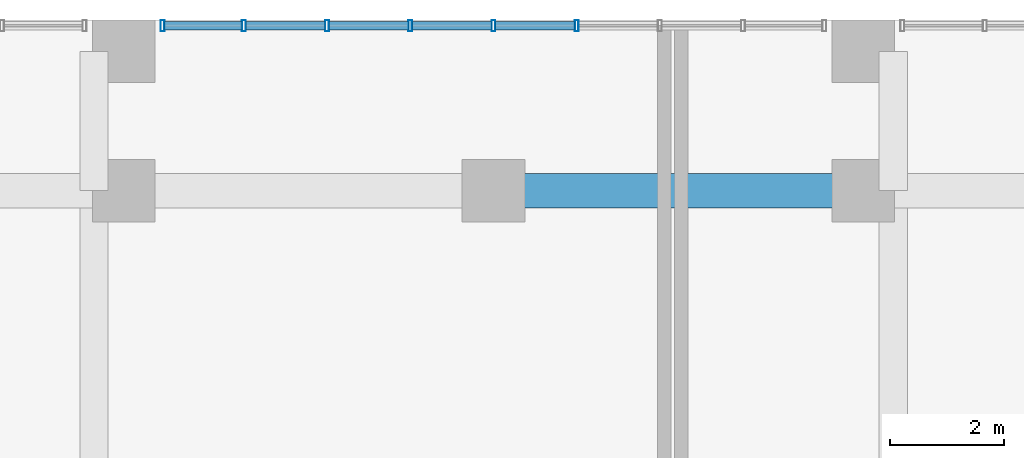
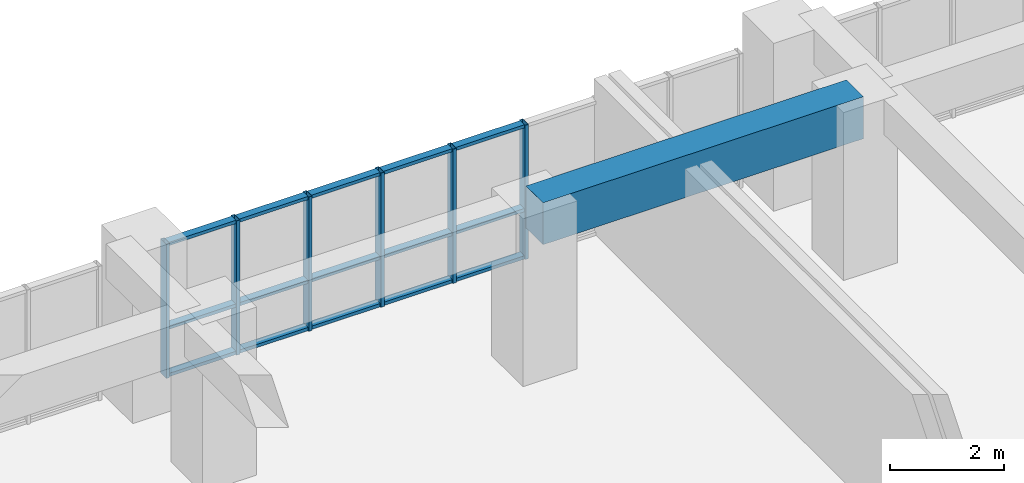
# One storey, part 12 of 30: 21 members, 1 beam, 1 element without a shape of its own.
"""IFC4 building model written with IfcOpenShell, lengths in metres."""

from ifc_helpers import new_model, si_unit, direction, frame, origin, origin_2d, place, context, subcontext, project, spatial, rectangle, hollow_rectangle, extrude, source, transform, mapped, material, layer, layer_set, material_profile, profile_set, type_object, element, aggregate, save


model = new_model("IFC4")

# Units and contexts
model_context = context("Model", 3, precision=1e-05, world=origin(), true_north=direction((0.0, 1.0)))
body_context = subcontext(model_context, "Body", "Model", "MODEL_VIEW")
ifc_project = project(units=[si_unit("LENGTHUNIT", "METRE"), si_unit("AREAUNIT", "SQUARE_METRE"), si_unit("VOLUMEUNIT", "CUBIC_METRE"), si_unit("PLANEANGLEUNIT", "RADIAN"), si_unit("MASSUNIT", "GRAM", prefix="KILO")], contexts=[model_context])

# Site, building, storey
site_placement = place(None, origin())
site = spatial("IfcSite", under=ifc_project, at=site_placement, CompositionType="ELEMENT")
building_placement = place(site_placement, origin())
building = spatial("IfcBuilding", under=site, at=building_placement, Name="Saelheon Loggia Tower", CompositionType="ELEMENT")
storey_placement = place(building_placement, frame((0.0, 0.0, 7.800048828125)))
storey = spatial("IfcBuildingStorey", under=building, at=storey_placement, Name="L02", CompositionType="ELEMENT", Elevation=7.800048828125)

# Beam
ifc_material_1 = material(Name="Concrete C50/60", Category="concrete")
ifc_material_profile_1 = material_profile(ifc_material_1, rectangle(XDim=0.60009765625, YDim=0.89990234375, at=origin_2d()), Name="RC-600x900")
ifc_profile_set_1 = profile_set([ifc_material_profile_1], Name="Concrete C50/60")
beam_type = type_object("IfcBeamType", Name="Beam_MainGirder_RC600x900", PredefinedType="BEAM", material=ifc_profile_set_1)
shared_shape_1 = source(origin(), body_context, "Body", "SweptSolid", [
    extrude(rectangle(XDim=0.60009765625, YDim=0.89990234375, at=origin_2d()), origin(), (0.0, 0.0, 1.0), 6.5),
])
beam_placement = place(storey_placement, frame((38.0, 51.0, 3.14990234375), z_axis=(1.0, 0.0, 0.0), x_axis=(0.0, 1.0, 0.0)))
element("IfcBeam", 1, at=beam_placement, inside=storey, type_object=beam_type, Name="BM-L02-EW-51-6", PredefinedType="BEAM", context=body_context, shape_type="MappedRepresentation", body=[
    mapped(shared_shape_1, transform((0.0, 0.0, 0.0), scale=1.0)),
])

# Curtain wall, members
ifc_material_2 = material(Name="Aluminium 6063-T6 and Low-E IGU", Category="aluminium")
ifc_layer = layer(ifc_material_2, 0.179931640625)
ifc_layer_set = layer_set([ifc_layer], Name="Aluminium 6063-T6 and Low-E IGU")
curtain_wall_type = type_object("IfcCurtainWallType", Name="CW_PodiumClinic", PredefinedType="NOTDEFINED", material=ifc_layer_set)
curtain_wall_placement = place(storey_placement, origin())
curtain_wall = element("IfcCurtainWall", 2, at=curtain_wall_placement, inside=storey, type_object=curtain_wall_type, Name="L02 North Clinic Curtain Wall 2", PredefinedType="NOTDEFINED")
ifc_material_3 = material(Name="Anodised Aluminium 6063-T6", Category="aluminium")
ifc_material_profile_2 = material_profile(ifc_material_3, hollow_rectangle(XDim=0.070068359375, YDim=0.14990234375, WallThickness=0.0048828125, at=origin_2d()), Name="RHS-150x70x5")
ifc_profile_set_2 = profile_set([ifc_material_profile_2], Name="Anodised Aluminium 6063-T6")
member_type_1 = type_object("IfcMemberType", Name="CW_PodiumClinic_Transom", PredefinedType="USERDEFINED", material=ifc_profile_set_2)
shared_shape_2 = source(origin(), body_context, "Body", "SweptSolid", [
    extrude(hollow_rectangle(XDim=0.070068359375, YDim=0.14990234375, WallThickness=0.0048828125, at=origin_2d()), origin(), (0.0, 0.0, 1.0), 1.357421875),
])
member_1_placement = place(storey_placement, frame((32.219970703125, 53.89990234375, 0.034912109375), z_axis=(1.0, 0.0, 0.0), x_axis=(0.0, 0.0, 1.0)))
member_1 = element("IfcMember", 3, at=member_1_placement, type_object=member_type_1, Name="CW1 transom 1.1", ObjectType="TRANSOM", PredefinedType="USERDEFINED", context=body_context, shape_type="MappedRepresentation", body=[
    mapped(shared_shape_2, transform((0.0, 0.0, 0.0), scale=1.0)),
])
member_2_placement = place(storey_placement, frame((32.219970703125, 53.89990234375, 1.050048828125), z_axis=(1.0, 0.0, 0.0), x_axis=(0.0, 0.0, 1.0)))
member_2 = element("IfcMember", 4, at=member_2_placement, type_object=member_type_1, Name="CW1 transom 1.2", ObjectType="TRANSOM", PredefinedType="USERDEFINED", context=body_context, shape_type="MappedRepresentation", body=[
    mapped(shared_shape_2, transform((0.0, 0.0, 0.0), scale=1.0)),
])
member_3_placement = place(storey_placement, frame((32.219970703125, 53.89990234375, 2.844970703125), z_axis=(1.0, 0.0, 0.0), x_axis=(0.0, 0.0, 1.0)))
member_3 = element("IfcMember", 5, at=member_3_placement, type_object=member_type_1, Name="CW1 transom 1.3", ObjectType="TRANSOM", PredefinedType="USERDEFINED", context=body_context, shape_type="MappedRepresentation", body=[
    mapped(shared_shape_2, transform((0.0, 0.0, 0.0), scale=1.0)),
])
shared_shape_3 = source(origin(), body_context, "Body", "SweptSolid", [
    extrude(hollow_rectangle(XDim=0.070068359375, YDim=0.14990234375, WallThickness=0.0048828125, at=origin_2d()), origin(), (0.0, 0.0, 1.0), 1.392578125),
])
member_4_placement = place(storey_placement, frame((33.6474609375, 53.89990234375, 0.034912109375), z_axis=(1.0, 0.0, 0.0), x_axis=(0.0, 0.0, 1.0)))
member_4 = element("IfcMember", 6, at=member_4_placement, type_object=member_type_1, Name="CW1 transom 2.1", ObjectType="TRANSOM", PredefinedType="USERDEFINED", context=body_context, shape_type="MappedRepresentation", body=[
    mapped(shared_shape_3, transform((0.0, 0.0, 0.0), scale=1.0)),
])
member_5_placement = place(storey_placement, frame((33.6474609375, 53.89990234375, 1.050048828125), z_axis=(1.0, 0.0, 0.0), x_axis=(0.0, 0.0, 1.0)))
member_5 = element("IfcMember", 7, at=member_5_placement, type_object=member_type_1, Name="CW1 transom 2.2", ObjectType="TRANSOM", PredefinedType="USERDEFINED", context=body_context, shape_type="MappedRepresentation", body=[
    mapped(shared_shape_3, transform((0.0, 0.0, 0.0), scale=1.0)),
])
member_6_placement = place(storey_placement, frame((33.6474609375, 53.89990234375, 2.844970703125), z_axis=(1.0, 0.0, 0.0), x_axis=(0.0, 0.0, 1.0)))
member_6 = element("IfcMember", 8, at=member_6_placement, type_object=member_type_1, Name="CW1 transom 2.3", ObjectType="TRANSOM", PredefinedType="USERDEFINED", context=body_context, shape_type="MappedRepresentation", body=[
    mapped(shared_shape_3, transform((0.0, 0.0, 0.0), scale=1.0)),
])
member_7_placement = place(storey_placement, frame((36.572509765625, 53.89990234375, 0.034912109375), z_axis=(1.0, 0.0, 0.0), x_axis=(0.0, 0.0, 1.0)))
member_7 = element("IfcMember", 9, at=member_7_placement, type_object=member_type_1, Name="CW1 transom 4.1", ObjectType="TRANSOM", PredefinedType="USERDEFINED", context=body_context, shape_type="MappedRepresentation", body=[
    mapped(shared_shape_3, transform((0.0, 0.0, 0.0), scale=1.0)),
])
member_8_placement = place(storey_placement, frame((36.572509765625, 53.89990234375, 1.050048828125), z_axis=(1.0, 0.0, 0.0), x_axis=(0.0, 0.0, 1.0)))
member_8 = element("IfcMember", 10, at=member_8_placement, type_object=member_type_1, Name="CW1 transom 4.2", ObjectType="TRANSOM", PredefinedType="USERDEFINED", context=body_context, shape_type="MappedRepresentation", body=[
    mapped(shared_shape_3, transform((0.0, 0.0, 0.0), scale=1.0)),
])
member_9_placement = place(storey_placement, frame((36.572509765625, 53.89990234375, 2.844970703125), z_axis=(1.0, 0.0, 0.0), x_axis=(0.0, 0.0, 1.0)))
member_9 = element("IfcMember", 11, at=member_9_placement, type_object=member_type_1, Name="CW1 transom 4.3", ObjectType="TRANSOM", PredefinedType="USERDEFINED", context=body_context, shape_type="MappedRepresentation", body=[
    mapped(shared_shape_3, transform((0.0, 0.0, 0.0), scale=1.0)),
])
member_10_placement = place(storey_placement, frame((38.034912109375, 53.89990234375, 0.034912109375), z_axis=(1.0, 0.0, 0.0), x_axis=(0.0, 0.0, 1.0)))
member_10 = element("IfcMember", 12, at=member_10_placement, type_object=member_type_1, Name="CW1 transom 5.1", ObjectType="TRANSOM", PredefinedType="USERDEFINED", context=body_context, shape_type="MappedRepresentation", body=[
    mapped(shared_shape_3, transform((0.0, 0.0, 0.0), scale=1.0)),
])
member_11_placement = place(storey_placement, frame((38.034912109375, 53.89990234375, 1.050048828125), z_axis=(1.0, 0.0, 0.0), x_axis=(0.0, 0.0, 1.0)))
member_11 = element("IfcMember", 13, at=member_11_placement, type_object=member_type_1, Name="CW1 transom 5.2", ObjectType="TRANSOM", PredefinedType="USERDEFINED", context=body_context, shape_type="MappedRepresentation", body=[
    mapped(shared_shape_3, transform((0.0, 0.0, 0.0), scale=1.0)),
])
member_12_placement = place(storey_placement, frame((38.034912109375, 53.89990234375, 2.844970703125), z_axis=(1.0, 0.0, 0.0), x_axis=(0.0, 0.0, 1.0)))
member_12 = element("IfcMember", 14, at=member_12_placement, type_object=member_type_1, Name="CW1 transom 5.3", ObjectType="TRANSOM", PredefinedType="USERDEFINED", context=body_context, shape_type="MappedRepresentation", body=[
    mapped(shared_shape_3, transform((0.0, 0.0, 0.0), scale=1.0)),
])
shared_shape_4 = source(origin(), body_context, "Body", "SweptSolid", [
    extrude(hollow_rectangle(XDim=0.070068359375, YDim=0.14990234375, WallThickness=0.0048828125, at=origin_2d()), origin(), (0.0, 0.0, 1.0), 1.392333984375),
])
member_13_placement = place(storey_placement, frame((35.110107421875, 53.89990234375, 0.034912109375), z_axis=(1.0, 0.0, 0.0), x_axis=(0.0, 0.0, 1.0)))
member_13 = element("IfcMember", 15, at=member_13_placement, type_object=member_type_1, Name="CW1 transom 3.1", ObjectType="TRANSOM", PredefinedType="USERDEFINED", context=body_context, shape_type="MappedRepresentation", body=[
    mapped(shared_shape_4, transform((0.0, 0.0, 0.0), scale=1.0)),
])
member_14_placement = place(storey_placement, frame((35.110107421875, 53.89990234375, 1.050048828125), z_axis=(1.0, 0.0, 0.0), x_axis=(0.0, 0.0, 1.0)))
member_14 = element("IfcMember", 16, at=member_14_placement, type_object=member_type_1, Name="CW1 transom 3.2", ObjectType="TRANSOM", PredefinedType="USERDEFINED", context=body_context, shape_type="MappedRepresentation", body=[
    mapped(shared_shape_4, transform((0.0, 0.0, 0.0), scale=1.0)),
])
member_15_placement = place(storey_placement, frame((35.110107421875, 53.89990234375, 2.844970703125), z_axis=(1.0, 0.0, 0.0), x_axis=(0.0, 0.0, 1.0)))
member_15 = element("IfcMember", 17, at=member_15_placement, type_object=member_type_1, Name="CW1 transom 3.3", ObjectType="TRANSOM", PredefinedType="USERDEFINED", context=body_context, shape_type="MappedRepresentation", body=[
    mapped(shared_shape_4, transform((0.0, 0.0, 0.0), scale=1.0)),
])
ifc_material_profile_3 = material_profile(ifc_material_3, hollow_rectangle(XDim=0.070068359375, YDim=0.199951171875, WallThickness=0.0048828125, at=origin_2d()), Name="RHS-200x70x5")
ifc_profile_set_3 = profile_set([ifc_material_profile_3], Name="Anodised Aluminium 6063-T6")
member_type_2 = type_object("IfcMemberType", Name="CW_PodiumClinic_Mullion", PredefinedType="MULLION", material=ifc_profile_set_3)
shared_shape_5 = source(origin(), body_context, "Body", "SweptSolid", [
    extrude(hollow_rectangle(XDim=0.070068359375, YDim=0.199951171875, WallThickness=0.0048828125, at=origin_2d()), origin(), (0.0, 0.0, 1.0), 2.8798828125),
])
member_16_placement = place(storey_placement, frame((32.18505859375, 53.89990234375, 0.0), z_axis=(0.0, 0.0, 1.0), x_axis=(1.0, 0.0, 0.0)))
member_16 = element("IfcMember", 18, at=member_16_placement, type_object=member_type_2, Name="CW1 mullion 1", PredefinedType="MULLION", context=body_context, shape_type="MappedRepresentation", body=[
    mapped(shared_shape_5, transform((0.0, 0.0, 0.0), scale=1.0)),
])
member_17_placement = place(storey_placement, frame((33.612548828125, 53.89990234375, 0.0), z_axis=(0.0, 0.0, 1.0), x_axis=(1.0, 0.0, 0.0)))
member_17 = element("IfcMember", 19, at=member_17_placement, type_object=member_type_2, Name="CW1 mullion 2", PredefinedType="MULLION", context=body_context, shape_type="MappedRepresentation", body=[
    mapped(shared_shape_5, transform((0.0, 0.0, 0.0), scale=1.0)),
])
member_18_placement = place(storey_placement, frame((35.074951171875, 53.89990234375, 0.0), z_axis=(0.0, 0.0, 1.0), x_axis=(1.0, 0.0, 0.0)))
member_18 = element("IfcMember", 20, at=member_18_placement, type_object=member_type_2, Name="CW1 mullion 3", PredefinedType="MULLION", context=body_context, shape_type="MappedRepresentation", body=[
    mapped(shared_shape_5, transform((0.0, 0.0, 0.0), scale=1.0)),
])
member_19_placement = place(storey_placement, frame((36.53759765625, 53.89990234375, 0.0), z_axis=(0.0, 0.0, 1.0), x_axis=(1.0, 0.0, 0.0)))
member_19 = element("IfcMember", 21, at=member_19_placement, type_object=member_type_2, Name="CW1 mullion 4", PredefinedType="MULLION", context=body_context, shape_type="MappedRepresentation", body=[
    mapped(shared_shape_5, transform((0.0, 0.0, 0.0), scale=1.0)),
])
member_20_placement = place(storey_placement, frame((38.0, 53.89990234375, 0.0), z_axis=(0.0, 0.0, 1.0), x_axis=(1.0, 0.0, 0.0)))
member_20 = element("IfcMember", 22, at=member_20_placement, type_object=member_type_2, Name="CW1 mullion 5", PredefinedType="MULLION", context=body_context, shape_type="MappedRepresentation", body=[
    mapped(shared_shape_5, transform((0.0, 0.0, 0.0), scale=1.0)),
])
member_21_placement = place(storey_placement, frame((39.46240234375, 53.89990234375, 0.0), z_axis=(0.0, 0.0, 1.0), x_axis=(1.0, 0.0, 0.0)))
member_21 = element("IfcMember", 23, at=member_21_placement, type_object=member_type_2, Name="CW1 mullion 6", PredefinedType="MULLION", context=body_context, shape_type="MappedRepresentation", body=[
    mapped(shared_shape_5, transform((0.0, 0.0, 0.0), scale=1.0)),
])
aggregate(curtain_wall, [member_16, member_17, member_18, member_19, member_20, member_21, member_1, member_2, member_3, member_4, member_5, member_6, member_13, member_14, member_15, member_7, member_8, member_9, member_10, member_11, member_12])

save(model, "model.ifc")
